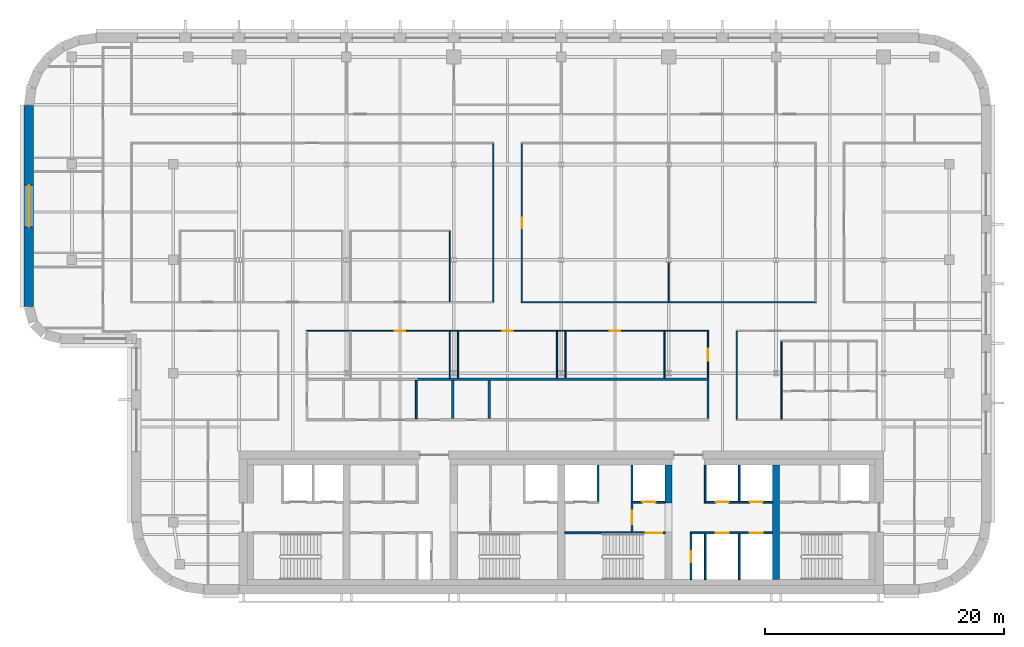
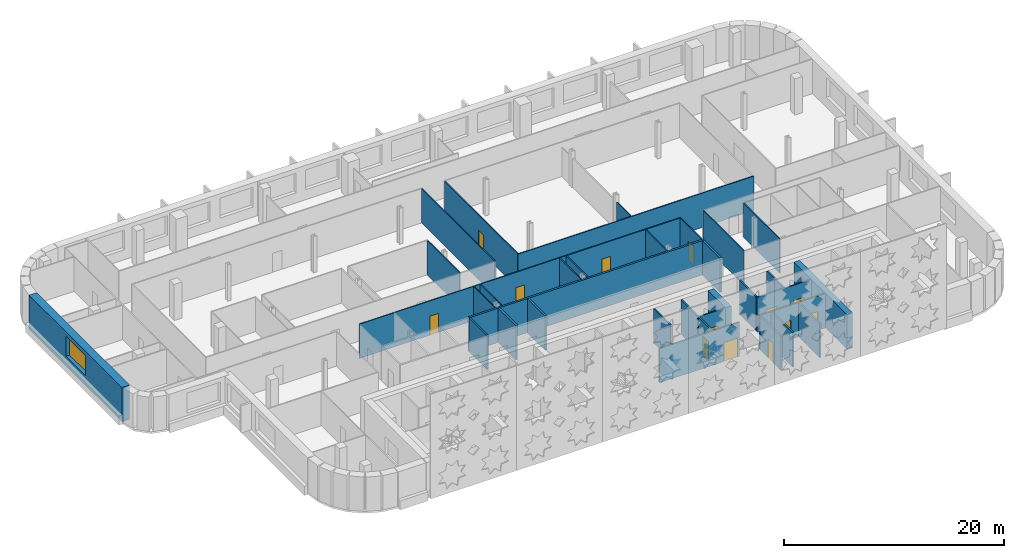
# One storey, part 9 of 18: 34 walls, 13 doors, 1 window, 14 openings.
"""IFC4 building model written with IfcOpenShell, lengths in metres."""

import ifcopenshell
import ifcopenshell.guid

model = None  # the IFC model being written
_history = None  # IfcOwnerHistory: only IFC2X3 demands one
_inside = {}  # id of a spatial element -> (the spatial element, [elements in it])
_under = {}  # id of a project, library or spatial element -> (it, [spatial elements below it])
_declared = {}  # id of a project -> (the project, [libraries it declares])
_typed = {}  # id of a type object -> (the type object, [elements of that type])
_made_of = {}  # id of a material, layer set ... -> (it, [elements and type objects made of it])


def new_model(schema):
    """Start an empty IFC model of exactly this schema.

    Asked for "IFC4X3", IfcOpenShell would pick the latest addendum, in which some entities
    have other attributes; the version numbers below select the first issue.
    IFC2X3 requires an IfcOwnerHistory on every rooted entity: one is made here for all.
    """
    global model, _history
    if schema == "IFC4X3":
        model = ifcopenshell.file(schema_version=(4, 3, 0, 0))
    else:
        model = ifcopenshell.file(schema=schema)
    _inside.clear()
    _under.clear()
    _declared.clear()
    _typed.clear()
    _made_of.clear()
    _history = None
    if model.schema == "IFC2X3":
        org = make("IfcOrganization", Name="unknown")
        user = make(
            "IfcPersonAndOrganization",
            ThePerson=make("IfcPerson", FamilyName="unknown"),
            TheOrganization=org,
        )
        app = make(
            "IfcApplication",
            ApplicationDeveloper=org,
            Version="unknown",
            ApplicationFullName="unknown",
            ApplicationIdentifier="unknown",
        )
        _history = make(
            "IfcOwnerHistory",
            OwningUser=user,
            OwningApplication=app,
            ChangeAction="ADDED",
            CreationDate=0,
        )
    return model


def make(cls, **values):
    """One entity of the class cls with the attributes given. An attribute that is None is left unset."""
    return model.create_entity(
        cls, **{name: value for name, value in values.items() if value is not None}
    )


def rooted(cls, **values):
    """An entity with a GlobalId (a new one), such as an element, a storey or a relation."""
    return make(cls, GlobalId=ifcopenshell.guid.new(), OwnerHistory=_history, **values)


def si_unit(unit_type, name, prefix=None):
    """IfcSIUnit, for example si_unit("LENGTHUNIT", "METRE", prefix="MILLI")."""
    return make("IfcSIUnit", UnitType=unit_type, Prefix=prefix, Name=name)


def assignment(units):
    """IfcUnitAssignment: the units of a project."""
    return None if units is None else make("IfcUnitAssignment", Units=units)


def point(xyz):
    """IfcCartesianPoint."""
    return None if xyz is None else make("IfcCartesianPoint", Coordinates=xyz)


def direction(xyz):
    """IfcDirection."""
    return None if xyz is None else make("IfcDirection", DirectionRatios=xyz)


def frame(location, z_axis=None, x_axis=None):
    """IfcAxis2Placement3D, a coordinate frame: its origin and axes. An axis left out is left unset."""
    return make(
        "IfcAxis2Placement3D",
        Location=point(location),
        Axis=direction(z_axis),
        RefDirection=direction(x_axis),
    )


def frame_2d(location, x_axis=None):
    """IfcAxis2Placement2D, a coordinate frame in the plane: its origin and x axis."""
    return make(
        "IfcAxis2Placement2D", Location=point(location), RefDirection=direction(x_axis)
    )


def origin():
    """The frame at (0, 0, 0) with its axes left unset."""
    return frame((0.0, 0.0, 0.0))


def place(relative_to, where):
    """IfcLocalPlacement: puts the frame where relative to a parent placement (None: the world)."""
    return make(
        "IfcLocalPlacement", PlacementRelTo=relative_to, RelativePlacement=where
    )


def context(
    kind, dimensions, precision=None, world=None, true_north=None, identifier=None
):
    """IfcGeometricRepresentationContext, for example the 3D "Model" context."""
    return make(
        "IfcGeometricRepresentationContext",
        ContextIdentifier=identifier,
        ContextType=kind,
        CoordinateSpaceDimension=dimensions,
        Precision=precision,
        WorldCoordinateSystem=world,
        TrueNorth=true_north,
    )


def subcontext(parent, identifier, kind, view, scale=None):
    """IfcGeometricRepresentationSubContext, for example "Body" below "Model"."""
    return make(
        "IfcGeometricRepresentationSubContext",
        ContextIdentifier=identifier,
        ContextType=kind,
        ParentContext=parent,
        TargetScale=scale,
        TargetView=view,
    )


def project(units=None, contexts=None):
    """IfcProject with its units and contexts."""
    return rooted(
        "IfcProject",
        Name="project",
        RepresentationContexts=contexts,
        UnitsInContext=assignment(units),
    )


def spatial(cls, under=None, at=None, **own):
    """A site, building, storey or space (cls), placed at a placement, below another one or the project."""
    s = rooted(cls, ObjectPlacement=at, **own)
    if under is not None:
        _under.setdefault(under.id(), (under, []))[1].append(s)
    return s


def profile(cls, at=None, kind="AREA", **sizes):
    """A parametric profile (cls). Its sizes go by their IFC names, for example OverallWidth=200.0."""
    return make(cls, ProfileType=kind, Position=at, **sizes)


def rectangle(**sizes):
    """IfcRectangleProfileDef."""
    return profile("IfcRectangleProfileDef", **sizes)


def extrude(swept, where, along, depth):
    """IfcExtrudedAreaSolid: the profile swept, set in the frame where, extruded along a direction by depth."""
    return make(
        "IfcExtrudedAreaSolid",
        SweptArea=swept,
        Position=where,
        ExtrudedDirection=direction(along),
        Depth=depth,
    )


def shape(context_of_items, identifier, shape_type, items):
    """IfcShapeRepresentation: the items that make up one representation, for example the "Body"."""
    return make(
        "IfcShapeRepresentation",
        ContextOfItems=context_of_items,
        RepresentationIdentifier=identifier,
        RepresentationType=shape_type,
        Items=items,
    )


def material(Name=None, Category=None):
    """IfcMaterial."""
    return make("IfcMaterial", Name=Name, Category=Category)


def layer(
    of_material, thickness, ventilated=None, Name=None, Category=None, Priority=None
):
    """IfcMaterialLayer: one layer of a wall or slab, of a material (None: an air gap)."""
    return make(
        "IfcMaterialLayer",
        Material=of_material,
        LayerThickness=thickness,
        IsVentilated=ventilated,
        Name=Name,
        Category=Category,
        Priority=Priority,
    )


def layer_set(layers, Name=None):
    """IfcMaterialLayerSet."""
    return make("IfcMaterialLayerSet", MaterialLayers=layers, LayerSetName=Name)


def made_of(thing, what):
    """Note that an element or type object is made of a material, layer set ...; save() writes the relation."""
    if what is not None:
        _made_of.setdefault(what.id(), (what, []))[1].append(thing)
    return thing


def type_object(cls, material=None, **own):
    """A type object (cls), such as IfcWallType, which elements share."""
    return made_of(rooted(cls, **own), material)


def element(
    cls,
    number,
    at=None,
    inside=None,
    cuts=None,
    type_object=None,
    material=None,
    context=None,
    identifier="Body",
    shape_type=None,
    held_by="IfcProductDefinitionShape",
    body=None,
    shapes=None,
    **own,
):
    """One element of the class cls, such as IfcWall. Its Tag is "e" and its number.

    at: its placement. inside: the storey or other place that contains it. cuts: it is an
    opening in that element (IfcRelVoidsElement). A single representation is given by context,
    identifier, shape_type and body (its items); several are given by shapes. held_by: the class
    of the entity that holds the representations. save() writes the other relations.
    """
    e = rooted(cls, Tag="e%d" % number, ObjectPlacement=at, **own)
    if body is not None:
        shapes = [shape(context, identifier, shape_type, body)]
    if shapes is not None:
        e.Representation = make(held_by, Representations=shapes)
    if inside is not None:
        _inside.setdefault(inside.id(), (inside, []))[1].append(e)
    if cuts is not None:
        rooted(
            "IfcRelVoidsElement", RelatingBuildingElement=cuts, RelatedOpeningElement=e
        )
    if type_object is not None:
        _typed.setdefault(type_object.id(), (type_object, []))[1].append(e)
    return made_of(e, material)


def fill(opening, filler):
    """IfcRelFillsElement: the door or window that sits in an opening."""
    return rooted(
        "IfcRelFillsElement",
        RelatingOpeningElement=opening,
        RelatedBuildingElement=filler,
    )


def aggregate(whole, parts):
    """IfcRelAggregates: a whole, such as a stair, and the parts it consists of."""
    return rooted("IfcRelAggregates", RelatingObject=whole, RelatedObjects=parts)


def save(model, path):
    """Write the relations noted so far, then the file.

    IfcRelAggregates (storeys below a building ...), IfcRelContainedInSpatialStructure (elements
    in a storey), IfcRelDefinesByType, IfcRelAssociatesMaterial and IfcRelDeclares: one each for
    every whole, place, type object, material and project.
    """
    for whole, parts in _under.values():
        aggregate(whole, parts)
    for where, things in _inside.values():
        rooted(
            "IfcRelContainedInSpatialStructure",
            RelatedElements=things,
            RelatingStructure=where,
        )
    for kind, things in _typed.values():
        rooted("IfcRelDefinesByType", RelatedObjects=things, RelatingType=kind)
    for what, things in _made_of.values():
        rooted("IfcRelAssociatesMaterial", RelatedObjects=things, RelatingMaterial=what)
    for by, libraries in _declared.values():
        rooted("IfcRelDeclares", RelatingContext=by, RelatedDefinitions=libraries)
    model.write(path)


model = new_model("IFC4")

# Units and contexts
model_context = context("Model", 3, precision=1e-05, world=origin(), true_north=direction((0.0, 1.0)))
body_context = subcontext(model_context, "Body", "Model", "MODEL_VIEW")
ifc_project = project(units=[si_unit("LENGTHUNIT", "METRE"), si_unit("AREAUNIT", "SQUARE_METRE"), si_unit("VOLUMEUNIT", "CUBIC_METRE"), si_unit("PLANEANGLEUNIT", "RADIAN"), si_unit("MASSUNIT", "GRAM", prefix="KILO")], contexts=[model_context])

# Site, building, storey
site_placement = place(None, origin())
site = spatial("IfcSite", under=ifc_project, at=site_placement, CompositionType="ELEMENT")
building_placement = place(site_placement, origin())
building = spatial("IfcBuilding", under=site, at=building_placement, Name="Zellij Exchange Tower", CompositionType="ELEMENT")
storey_placement = place(building_placement, frame((0.0, 0.0, 228.5)))
storey = spatial("IfcBuildingStorey", under=building, at=storey_placement, Name="L53", CompositionType="ELEMENT", Elevation=228.5)

# Walls
ifc_material_1 = material(Name="Concrete C50/60", Category="concrete")
ifc_layer_1 = layer(ifc_material_1, 0.60009765625)
ifc_layer_set_1 = layer_set([ifc_layer_1], Name="Concrete C50/60")
wall_type_1 = type_object("IfcWallType", Name="CORE-CW 600 C50/60", PredefinedType="SHEAR", material=ifc_layer_set_1)
wall_1_placement = place(storey_placement, frame((9.0, -6.375, 0.0), z_axis=(0.0, 0.0, 1.0), x_axis=(0.0, 1.0, 0.0)))
element("IfcWall", 1, at=wall_1_placement, inside=storey, type_object=wall_type_1, Name="Core cross wall pier x 9 b L53", PredefinedType="SHEAR", context=body_context, shape_type="SweptSolid", body=[
    extrude(rectangle(XDim=3.175048828125, YDim=0.60009765625, at=frame_2d((1.58740234375, 0.0))), origin(), (0.0, 0.0, 1.0), 3.800048828125),
])
wall_2_placement = place(storey_placement, frame((18.0, -12.800048828125, 0.0), z_axis=(0.0, 0.0, 1.0), x_axis=(0.0, 1.0, 0.0)))
element("IfcWall", 2, at=wall_2_placement, inside=storey, type_object=wall_type_1, Name="Core cross wall x 18 L53", PredefinedType="SHEAR", context=body_context, shape_type="SweptSolid", body=[
    extrude(rectangle(XDim=9.60009765625, YDim=0.60009765625, at=frame_2d((4.800048828125, 0.0))), origin(), (0.0, 0.0, 1.0), 3.800048828125),
])

# Wall, opening, door
ifc_material_2 = material(Name="Gypsum shaft wall system")
ifc_layer_2 = layer(ifc_material_2, 0.14990234375)
ifc_layer_set_2 = layer_set([ifc_layer_2], Name="Gypsum shaft wall system")
wall_type_2 = type_object("IfcWallType", Name="CORE-PW 150 Firefighting lobby wall", PredefinedType="PARTITIONING", material=ifc_layer_set_2)
wall_3_placement = place(storey_placement, frame((5.925048828125, -8.800048828125, 0.0), z_axis=(0.0, 0.0, 1.0), x_axis=(0.0, 1.0, 0.0)))
wall_3 = element("IfcWall", 3, at=wall_3_placement, inside=storey, type_object=wall_type_2, Name="Firefighting lobby wall L53", PredefinedType="PARTITIONING", context=body_context, shape_type="SweptSolid", body=[
    extrude(rectangle(XDim=2.425048828125, YDim=0.14990234375, at=frame_2d((1.21240234375, 0.0))), origin(), (0.0, 0.0, 1.0), 3.800048828125),
])
opening_1_placement = place(wall_3_placement, frame((0.662109375, 0.0, 0.0)))
opening_1 = element("IfcOpeningElement", 4, at=opening_1_placement, cuts=wall_3, Name="Opening CA-28.15", PredefinedType="OPENING", context=body_context, shape_type="SweptSolid", body=[
    extrude(rectangle(XDim=1.10009765625, YDim=2.10009765625, at=frame_2d((0.550048828125, 1.050048828125))), frame((0.0, 0.0869140625, 0.0), z_axis=(0.0, -1.0, 0.0), x_axis=(1.0, 0.0, 0.0)), (0.0, 0.0, 1.0), 0.173828125),
])
ifc_material_3 = material(Name="Hollow metal fire door")
door_type_1 = type_object("IfcDoorType", Name="CORE-D F Firefighting lobby door 1100x2100 1 HR", OperationType="NOTDEFINED", PredefinedType="DOOR", material=ifc_material_3)
door_1_placement = place(opening_1_placement, origin())
door_1 = element("IfcDoor", 5, at=door_1_placement, inside=storey, type_object=door_type_1, Name="Firefighting lobby door CA-28.15", OperationType="SINGLE_SWING_RIGHT", OverallHeight=2.10009765625, OverallWidth=1.10009765625, PredefinedType="DOOR", context=body_context, shape_type="SweptSolid", body=[
    extrude(rectangle(XDim=1.10009765625, YDim=2.10009765625, at=frame_2d((0.550048828125, 1.050048828125))), frame((0.0, 0.02490234375, 0.0), z_axis=(0.0, -1.0, 0.0), x_axis=(1.0, 0.0, 0.0)), (0.0, 0.0, 1.0), 0.050048828125),
])
fill(opening_1, door_1)

ifc_material_4 = material(Name="Gypsum board partition")
ifc_layer_3 = layer(ifc_material_4, 0.14990234375)
ifc_layer_set_3 = layer_set([ifc_layer_3], Name="Gypsum board partition")
wall_type_3 = type_object("IfcWallType", Name="CORE-PW 150 Lift lobby wall", PredefinedType="PARTITIONING", material=ifc_layer_set_3)
wall_4_placement = place(storey_placement, frame((10.875, -12.800048828125, 0.0), z_axis=(0.0, 0.0, 1.0), x_axis=(0.0, 1.0, 0.0)))
wall_4 = element("IfcWall", 6, at=wall_4_placement, inside=storey, type_object=wall_type_3, Name="Lift lobby wall L53", PredefinedType="PARTITIONING", context=body_context, shape_type="SweptSolid", body=[
    extrude(rectangle(XDim=3.85009765625, YDim=0.14990234375, at=frame_2d((1.925048828125, 0.0))), origin(), (0.0, 0.0, 1.0), 3.800048828125),
])
opening_2_placement = place(wall_4_placement, frame((1.47509765625, 0.0, 0.0)))
opening_2 = element("IfcOpeningElement", 7, at=opening_2_placement, cuts=wall_4, Name="Opening CA-28.19", PredefinedType="OPENING", context=body_context, shape_type="SweptSolid", body=[
    extrude(rectangle(XDim=0.89990234375, YDim=2.10009765625, at=frame_2d((0.449951171875, 1.050048828125))), frame((0.0, 0.0869140625, 0.0), z_axis=(0.0, -1.0, 0.0), x_axis=(1.0, 0.0, 0.0)), (0.0, 0.0, 1.0), 0.173828125),
])
door_type_2 = type_object("IfcDoorType", Name="CORE-D RD Riser door 900x2100 1.5 HR", OperationType="NOTDEFINED", PredefinedType="DOOR", material=ifc_material_3)
door_2_placement = place(opening_2_placement, origin())
door_2 = element("IfcDoor", 8, at=door_2_placement, inside=storey, type_object=door_type_2, Name="Riser door CA-28.19", OperationType="SINGLE_SWING_LEFT", OverallHeight=2.10009765625, OverallWidth=0.89990234375, PredefinedType="DOOR", context=body_context, shape_type="SweptSolid", body=[
    extrude(rectangle(XDim=0.89990234375, YDim=2.10009765625, at=frame_2d((0.449951171875, 1.050048828125))), frame((0.0, 0.02490234375, 0.0), z_axis=(0.0, -1.0, 0.0), x_axis=(1.0, 0.0, 0.0)), (0.0, 0.0, 1.0), 0.050048828125),
])
fill(opening_2, door_2)

# Walls
ifc_layer_4 = layer(ifc_material_2, 0.14990234375)
ifc_layer_set_4 = layer_set([ifc_layer_4], Name="Gypsum shaft wall system")
wall_type_4 = type_object("IfcWallType", Name="CORE-PW 150 Lift shaft wall", PredefinedType="PARTITIONING", material=ifc_layer_set_4)
for number, where, z_axis, x_axis, name in (
    (9, (3.074951171875, -6.22509765625, 0.0), (0.0, 0.0, 1.0), (0.0, 1.0, 0.0), "Lift shaft wall L53"),
    (10, (5.925048828125, -6.22509765625, 0.0), (0.0, 0.0, 1.0), (0.0, 1.0, 0.0), "Lift shaft wall L53"),
    (11, (12.074951171875, -6.22509765625, 0.0), (0.0, 0.0, 1.0), (0.0, 1.0, 0.0), "Lift shaft wall L53"),
    (12, (14.925048828125, -6.22509765625, 0.0), (0.0, 0.0, 1.0), (0.0, 1.0, 0.0), "Lift shaft wall L53"),
):
    element("IfcWall", number, at=place(storey_placement, frame(where, z_axis=z_axis, x_axis=x_axis)), inside=storey, type_object=wall_type_4, Name=name, PredefinedType="PARTITIONING", context=body_context, shape_type="SweptSolid", body=[
        extrude(rectangle(XDim=3.025146484375, YDim=0.14990234375, at=frame_2d((1.5126953125, 0.0))), origin(), (0.0, 0.0, 1.0), 3.800048828125),
    ])
for number, where, z_axis, x_axis, name in (
    (13, (12.074951171875, -12.800048828125, 0.0), (0.0, 0.0, 1.0), (0.0, 1.0, 0.0), "Lift shaft wall L53"),
    (14, (14.925048828125, -12.800048828125, 0.0), (0.0, 0.0, 1.0), (0.0, 1.0, 0.0), "Lift shaft wall L53"),
):
    element("IfcWall", number, at=place(storey_placement, frame(where, z_axis=z_axis, x_axis=x_axis)), inside=storey, type_object=wall_type_4, Name=name, PredefinedType="PARTITIONING", context=body_context, shape_type="SweptSolid", body=[
        extrude(rectangle(XDim=3.85009765625, YDim=0.14990234375, at=frame_2d((1.925048828125, 0.0))), origin(), (0.0, 0.0, 1.0), 3.800048828125),
    ])

# Wall, opening, door
wall_5_placement = place(storey_placement, frame((5.85009765625, -6.300048828125, 0.0), z_axis=(0.0, 0.0, 1.0), x_axis=(1.0, 0.0, 0.0)))
wall_5 = element("IfcWall", 15, at=wall_5_placement, inside=storey, type_object=wall_type_4, Name="Lift shaft wall L53", PredefinedType="PARTITIONING", context=body_context, shape_type="SweptSolid", body=[
    extrude(rectangle(XDim=2.849853515625, YDim=0.14990234375, at=frame_2d((1.4248046875, 0.0))), origin(), (0.0, 0.0, 1.0), 3.800048828125),
])
opening_3_placement = place(wall_5_placement, frame((0.949951171875, 0.0, 0.0)))
opening_3 = element("IfcOpeningElement", 16, at=opening_3_placement, cuts=wall_5, Name="Opening CA-28.16", PredefinedType="OPENING", context=body_context, shape_type="SweptSolid", body=[
    extrude(rectangle(XDim=1.10009765625, YDim=2.10009765625, at=frame_2d((0.550048828125, 1.050048828125))), frame((0.0, 0.0869140625, 0.0), z_axis=(0.0, -1.0, 0.0), x_axis=(1.0, 0.0, 0.0)), (0.0, 0.0, 1.0), 0.173828125),
])
door_type_3 = type_object("IfcDoorType", Name="CORE-D LD Lift landing door 1100x2100 1.5 HR", OperationType="NOTDEFINED", PredefinedType="DOOR", material=ifc_material_3)
door_3_placement = place(opening_3_placement, origin())
door_3 = element("IfcDoor", 17, at=door_3_placement, inside=storey, type_object=door_type_3, Name="Lift landing door CA-28.16", OperationType="SLIDING_TO_RIGHT", OverallHeight=2.10009765625, OverallWidth=1.10009765625, PredefinedType="DOOR", context=body_context, shape_type="SweptSolid", body=[
    extrude(rectangle(XDim=1.10009765625, YDim=2.10009765625, at=frame_2d((0.550048828125, 1.050048828125))), frame((0.0, 0.02490234375, 0.0), z_axis=(0.0, -1.0, 0.0), x_axis=(1.0, 0.0, 0.0)), (0.0, 0.0, 1.0), 0.050048828125),
])
fill(opening_3, door_3)

# Wall, openings, doors
wall_6_placement = place(storey_placement, frame((12.0, -6.300048828125, 0.0), z_axis=(0.0, 0.0, 1.0), x_axis=(1.0, 0.0, 0.0)))
wall_6 = element("IfcWall", 18, at=wall_6_placement, inside=storey, type_object=wall_type_4, Name="Lift shaft wall L53", PredefinedType="PARTITIONING", context=body_context, shape_type="SweptSolid", body=[
    extrude(rectangle(XDim=5.699951171875, YDim=0.14990234375, at=frame_2d((2.85009765625, 0.0))), origin(), (0.0, 0.0, 1.0), 3.800048828125),
])
opening_4_placement = place(wall_6_placement, frame((0.949951171875, 0.0, 0.0)))
opening_4 = element("IfcOpeningElement", 19, at=opening_4_placement, cuts=wall_6, Name="Opening CA-28.21", PredefinedType="OPENING", context=body_context, shape_type="SweptSolid", body=[
    extrude(rectangle(XDim=1.10009765625, YDim=2.10009765625, at=frame_2d((0.550048828125, 1.050048828125))), frame((0.0, 0.0869140625, 0.0), z_axis=(0.0, -1.0, 0.0), x_axis=(1.0, 0.0, 0.0)), (0.0, 0.0, 1.0), 0.173828125),
])
opening_5_placement = place(wall_6_placement, frame((3.800048828125, 0.0, 0.0)))
opening_5 = element("IfcOpeningElement", 20, at=opening_5_placement, cuts=wall_6, Name="Opening CA-28.23", PredefinedType="OPENING", context=body_context, shape_type="SweptSolid", body=[
    extrude(rectangle(XDim=1.10009765625, YDim=2.10009765625, at=frame_2d((0.550048828125, 1.050048828125))), frame((0.0, 0.0869140625, 0.0), z_axis=(0.0, -1.0, 0.0), x_axis=(1.0, 0.0, 0.0)), (0.0, 0.0, 1.0), 0.173828125),
])
door_4_placement = place(opening_4_placement, origin())
door_4 = element("IfcDoor", 21, at=door_4_placement, inside=storey, type_object=door_type_3, Name="Lift landing door CA-28.21", OperationType="SLIDING_TO_LEFT", OverallHeight=2.10009765625, OverallWidth=1.10009765625, PredefinedType="DOOR", context=body_context, shape_type="SweptSolid", body=[
    extrude(rectangle(XDim=1.10009765625, YDim=2.10009765625, at=frame_2d((0.550048828125, 1.050048828125))), frame((0.0, 0.02490234375, 0.0), z_axis=(0.0, -1.0, 0.0), x_axis=(1.0, 0.0, 0.0)), (0.0, 0.0, 1.0), 0.050048828125),
])
fill(opening_4, door_4)
door_5_placement = place(opening_5_placement, origin())
door_5 = element("IfcDoor", 22, at=door_5_placement, inside=storey, type_object=door_type_3, Name="Lift landing door CA-28.23", OperationType="SLIDING_TO_LEFT", OverallHeight=2.10009765625, OverallWidth=1.10009765625, PredefinedType="DOOR", context=body_context, shape_type="SweptSolid", body=[
    extrude(rectangle(XDim=1.10009765625, YDim=2.10009765625, at=frame_2d((0.550048828125, 1.050048828125))), frame((0.0, 0.02490234375, 0.0), z_axis=(0.0, -1.0, 0.0), x_axis=(1.0, 0.0, 0.0)), (0.0, 0.0, 1.0), 0.050048828125),
])
fill(opening_5, door_5)

wall_7_placement = place(storey_placement, frame((10.800048828125, -8.875, 0.0), z_axis=(0.0, 0.0, 1.0), x_axis=(1.0, 0.0, 0.0)))
wall_7 = element("IfcWall", 23, at=wall_7_placement, inside=storey, type_object=wall_type_4, Name="Lift shaft wall L53", PredefinedType="PARTITIONING", context=body_context, shape_type="SweptSolid", body=[
    extrude(rectangle(XDim=6.89990234375, YDim=0.14990234375, at=frame_2d((3.449951171875, 0.0))), origin(), (0.0, 0.0, 1.0), 3.800048828125),
])
opening_6_placement = place(wall_7_placement, frame((2.14990234375, 0.0, 0.0)))
opening_6 = element("IfcOpeningElement", 24, at=opening_6_placement, cuts=wall_7, Name="Opening CA-28.20", PredefinedType="OPENING", context=body_context, shape_type="SweptSolid", body=[
    extrude(rectangle(XDim=1.10009765625, YDim=2.10009765625, at=frame_2d((0.550048828125, 1.050048828125))), frame((0.0, 0.0869140625, 0.0), z_axis=(0.0, -1.0, 0.0), x_axis=(1.0, 0.0, 0.0)), (0.0, 0.0, 1.0), 0.173828125),
])
opening_7_placement = place(wall_7_placement, frame((5.0, 0.0, 0.0)))
opening_7 = element("IfcOpeningElement", 25, at=opening_7_placement, cuts=wall_7, Name="Opening CA-28.22", PredefinedType="OPENING", context=body_context, shape_type="SweptSolid", body=[
    extrude(rectangle(XDim=1.10009765625, YDim=2.10009765625, at=frame_2d((0.550048828125, 1.050048828125))), frame((0.0, 0.0869140625, 0.0), z_axis=(0.0, -1.0, 0.0), x_axis=(1.0, 0.0, 0.0)), (0.0, 0.0, 1.0), 0.173828125),
])
door_6_placement = place(opening_6_placement, origin())
door_6 = element("IfcDoor", 26, at=door_6_placement, inside=storey, type_object=door_type_3, Name="Lift landing door CA-28.20", OperationType="SLIDING_TO_RIGHT", OverallHeight=2.10009765625, OverallWidth=1.10009765625, PredefinedType="DOOR", context=body_context, shape_type="SweptSolid", body=[
    extrude(rectangle(XDim=1.10009765625, YDim=2.10009765625, at=frame_2d((0.550048828125, 1.050048828125))), frame((0.0, 0.02490234375, 0.0), z_axis=(0.0, -1.0, 0.0), x_axis=(1.0, 0.0, 0.0)), (0.0, 0.0, 1.0), 0.050048828125),
])
fill(opening_6, door_6)
door_7_placement = place(opening_7_placement, origin())
door_7 = element("IfcDoor", 27, at=door_7_placement, inside=storey, type_object=door_type_3, Name="Lift landing door CA-28.22", OperationType="SLIDING_TO_RIGHT", OverallHeight=2.10009765625, OverallWidth=1.10009765625, PredefinedType="DOOR", context=body_context, shape_type="SweptSolid", body=[
    extrude(rectangle(XDim=1.10009765625, YDim=2.10009765625, at=frame_2d((0.550048828125, 1.050048828125))), frame((0.0, 0.02490234375, 0.0), z_axis=(0.0, -1.0, 0.0), x_axis=(1.0, 0.0, 0.0)), (0.0, 0.0, 1.0), 0.050048828125),
])
fill(opening_7, door_7)

# Wall, opening, door
ifc_layer_5 = layer(ifc_material_1, 0.14990234375)
ifc_layer_set_5 = layer_set([ifc_layer_5], Name="Concrete C50/60")
wall_type_5 = type_object("IfcWallType", Name="CORE-SWS 150 C50/60", PredefinedType="SHEAR", material=ifc_layer_set_5)
wall_8_placement = place(storey_placement, frame((0.300048828125, -8.875, 0.0), z_axis=(0.0, 0.0, 1.0), x_axis=(1.0, 0.0, 0.0)))
wall_8 = element("IfcWall", 28, at=wall_8_placement, inside=storey, type_object=wall_type_5, Name="Stair enclosure wall L53", PredefinedType="SHEAR", context=body_context, shape_type="SweptSolid", body=[
    extrude(rectangle(XDim=8.39990234375, YDim=0.14990234375, at=frame_2d((4.199951171875, 0.0))), origin(), (0.0, 0.0, 1.0), 3.800048828125),
])
opening_8_placement = place(wall_8_placement, frame((6.77490234375, 0.0, 0.0)))
opening_8 = element("IfcOpeningElement", 29, at=opening_8_placement, cuts=wall_8, Name="Opening CA-28.17", PredefinedType="OPENING", context=body_context, shape_type="SweptSolid", body=[
    extrude(rectangle(XDim=1.39990234375, YDim=2.10009765625, at=frame_2d((0.699951171875, 1.050048828125))), frame((0.0, 0.0869140625, 0.0), z_axis=(0.0, -1.0, 0.0), x_axis=(1.0, 0.0, 0.0)), (0.0, 0.0, 1.0), 0.173828125),
])
door_type_4 = type_object("IfcDoorType", Name="CORE-D SD Stair door 1400x2100 1.5 HR", OperationType="NOTDEFINED", PredefinedType="DOOR", material=ifc_material_3)
door_8_placement = place(opening_8_placement, origin())
door_8 = element("IfcDoor", 30, at=door_8_placement, inside=storey, type_object=door_type_4, Name="Stair door CA-28.17", OperationType="DOUBLE_DOOR_SINGLE_SWING", OverallHeight=2.10009765625, OverallWidth=1.39990234375, PredefinedType="DOOR", context=body_context, shape_type="SweptSolid", body=[
    extrude(rectangle(XDim=1.39990234375, YDim=2.10009765625, at=frame_2d((0.699951171875, 1.050048828125))), frame((0.0, 0.02490234375, 0.0), z_axis=(0.0, -1.0, 0.0), x_axis=(1.0, 0.0, 0.0)), (0.0, 0.0, 1.0), 0.050048828125),
])
fill(opening_8, door_8)

# Wall, opening, window
ifc_material_5 = material(Name="Precast concrete C40/50", Category="concrete")
ifc_layer_6 = layer(ifc_material_5, 0.800048828125)
ifc_layer_set_6 = layer_set([ifc_layer_6], Name="Precast concrete C40/50")
wall_type_6 = type_object("IfcWallType", Name="ENV-EW1 Precast stone-piered wall 800", PredefinedType="SOLIDWALL", material=ifc_layer_set_6)
wall_9_placement = place(storey_placement, frame((-44.60009765625, 26.947509765625, 0.0), z_axis=(0.0, 0.0, 1.0), x_axis=(0.0, -1.0, 0.0)))
wall_9 = element("IfcWall", 31, at=wall_9_placement, inside=storey, type_object=wall_type_6, Name="fac.L53.21", PredefinedType="SOLIDWALL", context=body_context, shape_type="SweptSolid", body=[
    extrude(rectangle(XDim=16.842041015625, YDim=0.800048828125, at=frame_2d((8.4208984375, 0.0))), origin(), (0.0, 0.0, 1.0), 3.800048828125),
])
opening_9_placement = place(wall_9_placement, frame((6.684326171875, 0.0, 1.10009765625)))
opening_9 = element("IfcOpeningElement", 32, at=opening_9_placement, cuts=wall_9, Name="Opening FZ4.20", PredefinedType="OPENING", context=body_context, shape_type="SweptSolid", body=[
    extrude(rectangle(XDim=3.5, YDim=2.199951171875, at=frame_2d((1.75, 1.10009765625))), frame((0.0, 0.412109375, 0.0), z_axis=(0.0, -1.0, 0.0), x_axis=(1.0, 0.0, 0.0)), (0.0, 0.0, 1.0), 0.823974609375),
])
ifc_material_6 = material(Name="Aluminium frame with insulating glass", Category="aluminium")
window_type = type_object("IfcWindowType", Name="ENV-W7 Window 3500x2200", PartitioningType="SINGLE_PANEL", PredefinedType="WINDOW", material=ifc_material_6)
window_placement = place(opening_9_placement, origin())
window = element("IfcWindow", 33, at=window_placement, inside=storey, type_object=window_type, Name="Window FZ4.20", OverallHeight=2.199951171875, OverallWidth=3.5, PartitioningType="SINGLE_PANEL", PredefinedType="WINDOW", context=body_context, shape_type="SweptSolid", body=[
    extrude(rectangle(XDim=3.5, YDim=2.199951171875, at=frame_2d((1.75, 1.10009765625))), frame((0.0, 0.030029296875, 0.0), z_axis=(0.0, -1.0, 0.0), x_axis=(1.0, 0.0, 0.0)), (0.0, 0.0, 1.0), 0.06005859375),
])
fill(opening_9, window)

# Walls
ifc_material_7 = material(Name="Blockwork partition", Category="masonry")
ifc_layer_7 = layer(ifc_material_7, 0.199951171875)
ifc_layer_set_7 = layer_set([ifc_layer_7], Name="Blockwork partition")
wall_type_7 = type_object("IfcWallType", Name="FIT-BLOCKWORK-200", PredefinedType="PARTITIONING", material=ifc_layer_set_7)
for number, where, z_axis, x_axis, name in (
    (34, (-9.080078125, 0.699951171875, 0.0), (0.0, 0.0, 1.0), (0.0, 1.0, 0.0), "FIT-BLOCKWORK-200 012"),
    (35, (-6.030029296875, 0.699951171875, 0.0), (0.0, 0.0, 1.0), (0.0, 1.0, 0.0), "FIT-BLOCKWORK-200 013"),
    (36, (12.300048828125, 0.699951171875, 0.0), (0.0, 0.0, 1.0), (0.0, 1.0, 0.0), "FIT-BLOCKWORK-200 014"),
):
    element("IfcWall", number, at=place(storey_placement, frame(where, z_axis=z_axis, x_axis=x_axis)), inside=storey, type_object=wall_type_7, Name=name, PredefinedType="PARTITIONING", context=body_context, shape_type="SweptSolid", body=[
        extrude(rectangle(XDim=3.199951171875, YDim=0.199951171875, at=frame_2d((1.60009765625, 0.0))), origin(), (0.0, 0.0, 1.0), 3.800048828125),
    ])
wall_10_placement = place(storey_placement, frame((-12.215087890625, 4.0, 0.0), z_axis=(0.0, 0.0, 1.0), x_axis=(1.0, 0.0, 0.0)))
element("IfcWall", 37, at=wall_10_placement, inside=storey, type_object=wall_type_7, Name="FIT-BLOCKWORK-200 025", PredefinedType="PARTITIONING", context=body_context, shape_type="SweptSolid", body=[
    extrude(rectangle(XDim=24.614990234375, YDim=0.199951171875, at=frame_2d((12.3076171875, 0.0))), origin(), (0.0, 0.0, 1.0), 3.800048828125),
])
ifc_material_8 = material(Name="Gypsum board partition on steel studs", Category="steel")
ifc_layer_8 = layer(ifc_material_8, 0.10009765625)
ifc_layer_set_8 = layer_set([ifc_layer_8], Name="Gypsum board partition on steel studs")
wall_type_8 = type_object("IfcWallType", Name="FIT-PARTITION-100", PredefinedType="PARTITIONING", material=ifc_layer_set_8)
wall_11_placement = place(storey_placement, frame((14.699951171875, 0.64990234375, 0.0), z_axis=(0.0, 0.0, 1.0), x_axis=(0.0, 1.0, 0.0)))
element("IfcWall", 38, at=wall_11_placement, inside=storey, type_object=wall_type_8, Name="FIT-PARTITION-100 016", PredefinedType="PARTITIONING", context=body_context, shape_type="SweptSolid", body=[
    extrude(rectangle(XDim=7.35009765625, YDim=0.10009765625, at=frame_2d((3.675048828125, 0.0))), origin(), (0.0, 0.0, 1.0), 3.800048828125),
])
wall_12_placement = place(storey_placement, frame((18.449951171875, 0.64990234375, 0.0), z_axis=(0.0, 0.0, 1.0), x_axis=(0.0, 1.0, 0.0)))
element("IfcWall", 39, at=wall_12_placement, inside=storey, type_object=wall_type_8, Name="FIT-PARTITION-100 017", PredefinedType="PARTITIONING", context=body_context, shape_type="SweptSolid", body=[
    extrude(rectangle(XDim=6.5, YDim=0.10009765625, at=frame_2d((3.25, 0.0))), origin(), (0.0, 0.0, 1.0), 3.800048828125),
])
for number, where, z_axis, x_axis, name in (
    (40, (-9.35009765625, 4.10009765625, 0.0), (0.0, 0.0, 1.0), (0.0, 1.0, 0.0), "FIT-PARTITION-100 026"),
    (41, (-8.64990234375, 4.10009765625, 0.0), (0.0, 0.0, 1.0), (0.0, 1.0, 0.0), "FIT-PARTITION-100 027"),
    (42, (-0.35009765625, 4.10009765625, 0.0), (0.0, 0.0, 1.0), (0.0, 1.0, 0.0), "FIT-PARTITION-100 028"),
    (43, (0.35009765625, 4.10009765625, 0.0), (0.0, 0.0, 1.0), (0.0, 1.0, 0.0), "FIT-PARTITION-100 029"),
    (44, (8.64990234375, 4.10009765625, 0.0), (0.0, 0.0, 1.0), (0.0, 1.0, 0.0), "FIT-PARTITION-100 030"),
):
    element("IfcWall", number, at=place(storey_placement, frame(where, z_axis=z_axis, x_axis=x_axis)), inside=storey, type_object=wall_type_8, Name=name, PredefinedType="PARTITIONING", context=body_context, shape_type="SweptSolid", body=[
        extrude(rectangle(XDim=3.89990234375, YDim=0.10009765625, at=frame_2d((1.949951171875, 0.0))), origin(), (0.0, 0.0, 1.0), 3.800048828125),
    ])

# Wall, opening, door
wall_13_placement = place(storey_placement, frame((12.300048828125, 4.10009765625, 0.0), z_axis=(0.0, 0.0, 1.0), x_axis=(0.0, 1.0, 0.0)))
wall_13 = element("IfcWall", 45, at=wall_13_placement, inside=storey, type_object=wall_type_8, Name="FIT-PARTITION-100 031", PredefinedType="PARTITIONING", context=body_context, shape_type="SweptSolid", body=[
    extrude(rectangle(XDim=3.89990234375, YDim=0.10009765625, at=frame_2d((1.949951171875, 0.0))), origin(), (0.0, 0.0, 1.0), 3.800048828125),
])
opening_10_placement = place(wall_13_placement, frame((1.449951171875, 0.0, 0.0)))
opening_10 = element("IfcOpeningElement", 46, at=opening_10_placement, cuts=wall_13, Name="Opening O4B.14", PredefinedType="OPENING", context=body_context, shape_type="SweptSolid", body=[
    extrude(rectangle(XDim=1.0, YDim=2.10009765625, at=frame_2d((0.5, 1.050048828125))), frame((0.0, 0.06201171875, 0.0), z_axis=(0.0, -1.0, 0.0), x_axis=(1.0, 0.0, 0.0)), (0.0, 0.0, 1.0), 0.1240234375),
])
ifc_material_9 = material(Name="Timber door set", Category="wood")
door_type_5 = type_object("IfcDoorType", Name="FIT-D2-WIDE-1000X2100", OperationType="SINGLE_SWING_LEFT", PredefinedType="DOOR", material=ifc_material_9)
door_9_placement = place(opening_10_placement, origin())
door_9 = element("IfcDoor", 47, at=door_9_placement, inside=storey, type_object=door_type_5, Name="Door O4B.14", OperationType="SINGLE_SWING_LEFT", OverallHeight=2.10009765625, OverallWidth=1.0, PredefinedType="DOOR", context=body_context, shape_type="SweptSolid", body=[
    extrude(rectangle(XDim=1.0, YDim=2.10009765625, at=frame_2d((0.5, 1.050048828125))), frame((0.0, 0.02490234375, 0.0), z_axis=(0.0, -1.0, 0.0), x_axis=(1.0, 0.0, 0.0)), (0.0, 0.0, 1.0), 0.050048828125),
])
fill(opening_10, door_9)

# Wall, openings, doors
wall_14_placement = place(storey_placement, frame((-21.35009765625, 8.050048828125, 0.0), z_axis=(0.0, 0.0, 1.0), x_axis=(1.0, 0.0, 0.0)))
wall_14 = element("IfcWall", 48, at=wall_14_placement, inside=storey, type_object=wall_type_8, Name="FIT-PARTITION-100 036", PredefinedType="PARTITIONING", context=body_context, shape_type="SweptSolid", body=[
    extrude(rectangle(XDim=33.7001953125, YDim=0.10009765625, at=frame_2d((16.85009765625, 0.0))), origin(), (0.0, 0.0, 1.0), 3.800048828125),
])
opening_11_placement = place(wall_14_placement, frame((7.39990234375, 0.0, 0.0)))
opening_11 = element("IfcOpeningElement", 49, at=opening_11_placement, cuts=wall_14, Name="Opening O4B.16", PredefinedType="OPENING", context=body_context, shape_type="SweptSolid", body=[
    extrude(rectangle(XDim=0.89990234375, YDim=2.10009765625, at=frame_2d((0.449951171875, 1.050048828125))), frame((0.0, 0.06201171875, 0.0), z_axis=(0.0, -1.0, 0.0), x_axis=(1.0, 0.0, 0.0)), (0.0, 0.0, 1.0), 0.1240234375),
])
opening_12_placement = place(wall_14_placement, frame((16.39990234375, 0.0, 0.0)))
opening_12 = element("IfcOpeningElement", 50, at=opening_12_placement, cuts=wall_14, Name="Opening O4B.17", PredefinedType="OPENING", context=body_context, shape_type="SweptSolid", body=[
    extrude(rectangle(XDim=0.89990234375, YDim=2.10009765625, at=frame_2d((0.449951171875, 1.050048828125))), frame((0.0, 0.06201171875, 0.0), z_axis=(0.0, -1.0, 0.0), x_axis=(1.0, 0.0, 0.0)), (0.0, 0.0, 1.0), 0.1240234375),
])
opening_13_placement = place(wall_14_placement, frame((25.39990234375, 0.0, 0.0)))
opening_13 = element("IfcOpeningElement", 51, at=opening_13_placement, cuts=wall_14, Name="Opening O4B.18", PredefinedType="OPENING", context=body_context, shape_type="SweptSolid", body=[
    extrude(rectangle(XDim=0.89990234375, YDim=2.10009765625, at=frame_2d((0.449951171875, 1.050048828125))), frame((0.0, 0.06201171875, 0.0), z_axis=(0.0, -1.0, 0.0), x_axis=(1.0, 0.0, 0.0)), (0.0, 0.0, 1.0), 0.1240234375),
])
door_type_6 = type_object("IfcDoorType", Name="FIT-D1-ROOM-900X2100", OperationType="SINGLE_SWING_LEFT", PredefinedType="DOOR", material=ifc_material_9)
door_10_placement = place(opening_11_placement, origin())
door_10 = element("IfcDoor", 52, at=door_10_placement, inside=storey, type_object=door_type_6, Name="Door O4B.16", OperationType="SINGLE_SWING_LEFT", OverallHeight=2.10009765625, OverallWidth=0.89990234375, PredefinedType="DOOR", context=body_context, shape_type="SweptSolid", body=[
    extrude(rectangle(XDim=0.89990234375, YDim=2.10009765625, at=frame_2d((0.449951171875, 1.050048828125))), frame((0.0, 0.02490234375, 0.0), z_axis=(0.0, -1.0, 0.0), x_axis=(1.0, 0.0, 0.0)), (0.0, 0.0, 1.0), 0.050048828125),
])
fill(opening_11, door_10)
door_11_placement = place(opening_12_placement, origin())
door_11 = element("IfcDoor", 53, at=door_11_placement, inside=storey, type_object=door_type_6, Name="Door O4B.17", OperationType="SINGLE_SWING_LEFT", OverallHeight=2.10009765625, OverallWidth=0.89990234375, PredefinedType="DOOR", context=body_context, shape_type="SweptSolid", body=[
    extrude(rectangle(XDim=0.89990234375, YDim=2.10009765625, at=frame_2d((0.449951171875, 1.050048828125))), frame((0.0, 0.02490234375, 0.0), z_axis=(0.0, -1.0, 0.0), x_axis=(1.0, 0.0, 0.0)), (0.0, 0.0, 1.0), 0.050048828125),
])
fill(opening_12, door_11)
door_12_placement = place(opening_13_placement, origin())
door_12 = element("IfcDoor", 54, at=door_12_placement, inside=storey, type_object=door_type_6, Name="Door O4B.18", OperationType="SINGLE_SWING_LEFT", OverallHeight=2.10009765625, OverallWidth=0.89990234375, PredefinedType="DOOR", context=body_context, shape_type="SweptSolid", body=[
    extrude(rectangle(XDim=0.89990234375, YDim=2.10009765625, at=frame_2d((0.449951171875, 1.050048828125))), frame((0.0, 0.02490234375, 0.0), z_axis=(0.0, -1.0, 0.0), x_axis=(1.0, 0.0, 0.0)), (0.0, 0.0, 1.0), 0.050048828125),
])
fill(opening_13, door_12)

# Walls
wall_15_placement = place(storey_placement, frame((-9.35009765625, 10.5, 0.0), z_axis=(0.0, 0.0, 1.0), x_axis=(0.0, 1.0, 0.0)))
element("IfcWall", 55, at=wall_15_placement, inside=storey, type_object=wall_type_8, Name="FIT-PARTITION-100 047", PredefinedType="PARTITIONING", context=body_context, shape_type="SweptSolid", body=[
    extrude(rectangle(XDim=5.89990234375, YDim=0.10009765625, at=frame_2d((2.949951171875, 0.0))), origin(), (0.0, 0.0, 1.0), 3.800048828125),
])
wall_16_placement = place(storey_placement, frame((-5.699951171875, 10.5, 0.0), z_axis=(0.0, 0.0, 1.0), x_axis=(0.0, 1.0, 0.0)))
element("IfcWall", 56, at=wall_16_placement, inside=storey, type_object=wall_type_8, Name="FIT-PARTITION-100 048", PredefinedType="PARTITIONING", context=body_context, shape_type="SweptSolid", body=[
    extrude(rectangle(XDim=13.25, YDim=0.10009765625, at=frame_2d((6.625, 0.0))), origin(), (0.0, 0.0, 1.0), 3.800048828125),
])
wall_17_placement = place(storey_placement, frame((-3.35009765625, 10.449951171875, 0.0), z_axis=(0.0, 0.0, 1.0), x_axis=(1.0, 0.0, 0.0)))
element("IfcWall", 57, at=wall_17_placement, inside=storey, type_object=wall_type_8, Name="FIT-PARTITION-100 049", PredefinedType="PARTITIONING", context=body_context, shape_type="SweptSolid", body=[
    extrude(rectangle(XDim=24.7001953125, YDim=0.10009765625, at=frame_2d((12.35009765625, 0.0))), origin(), (0.0, 0.0, 1.0), 3.800048828125),
])

# Wall, opening, door
wall_18_placement = place(storey_placement, frame((-3.300048828125, 10.5, 0.0), z_axis=(0.0, 0.0, 1.0), x_axis=(0.0, 1.0, 0.0)))
wall_18 = element("IfcWall", 58, at=wall_18_placement, inside=storey, type_object=wall_type_8, Name="FIT-PARTITION-100 050", PredefinedType="PARTITIONING", context=body_context, shape_type="SweptSolid", body=[
    extrude(rectangle(XDim=13.25, YDim=0.10009765625, at=frame_2d((6.625, 0.0))), origin(), (0.0, 0.0, 1.0), 3.800048828125),
])
opening_14_placement = place(wall_18_placement, frame((6.14990234375, 0.0, 0.0)))
opening_14 = element("IfcOpeningElement", 59, at=opening_14_placement, cuts=wall_18, Name="Opening O4B.24", PredefinedType="OPENING", context=body_context, shape_type="SweptSolid", body=[
    extrude(rectangle(XDim=0.89990234375, YDim=2.10009765625, at=frame_2d((0.449951171875, 1.050048828125))), frame((0.0, 0.06201171875, 0.0), z_axis=(0.0, -1.0, 0.0), x_axis=(1.0, 0.0, 0.0)), (0.0, 0.0, 1.0), 0.1240234375),
])
door_13_placement = place(opening_14_placement, origin())
door_13 = element("IfcDoor", 60, at=door_13_placement, inside=storey, type_object=door_type_6, Name="Door O4B.24", OperationType="SINGLE_SWING_LEFT", OverallHeight=2.10009765625, OverallWidth=0.89990234375, PredefinedType="DOOR", context=body_context, shape_type="SweptSolid", body=[
    extrude(rectangle(XDim=0.89990234375, YDim=2.10009765625, at=frame_2d((0.449951171875, 1.050048828125))), frame((0.0, 0.02490234375, 0.0), z_axis=(0.0, -1.0, 0.0), x_axis=(1.0, 0.0, 0.0)), (0.0, 0.0, 1.0), 0.050048828125),
])
fill(opening_14, door_13)

# Walls
wall_19_placement = place(storey_placement, frame((9.0, 10.5, 0.0), z_axis=(0.0, 0.0, 1.0), x_axis=(0.0, 1.0, 0.0)))
element("IfcWall", 61, at=wall_19_placement, inside=storey, type_object=wall_type_8, Name="FIT-PARTITION-100 051", PredefinedType="PARTITIONING", context=body_context, shape_type="SweptSolid", body=[
    extrude(rectangle(XDim=3.306884765625, YDim=0.10009765625, at=frame_2d((1.6533203125, 0.0))), origin(), (0.0, 0.0, 1.0), 3.19287109375),
])
ifc_material_10 = material(Name="Gypsum board shaft-wall partition", Category="gypsum")
ifc_layer_9 = layer(ifc_material_10, 0.14990234375)
ifc_layer_set_9 = layer_set([ifc_layer_9], Name="Gypsum board shaft-wall partition")
wall_type_9 = type_object("IfcWallType", Name="FIT-PARTITION-150-EI60", PredefinedType="PARTITIONING", material=ifc_layer_set_9)
wall_20_placement = place(storey_placement, frame((-12.139892578125, 0.699951171875, 0.0), z_axis=(0.0, 0.0, 1.0), x_axis=(0.0, 1.0, 0.0)))
element("IfcWall", 62, at=wall_20_placement, inside=storey, type_object=wall_type_9, Name="FIT-PARTITION-150-EI60 011", PredefinedType="PARTITIONING", context=body_context, shape_type="SweptSolid", body=[
    extrude(rectangle(XDim=3.199951171875, YDim=0.14990234375, at=frame_2d((1.60009765625, 0.0))), origin(), (0.0, 0.0, 1.0), 3.800048828125),
])

save(model, "model.ifc")
